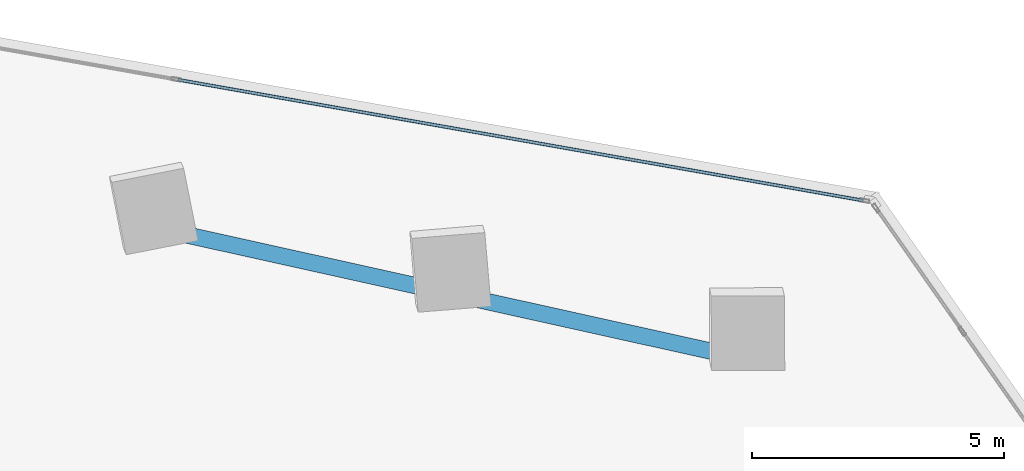
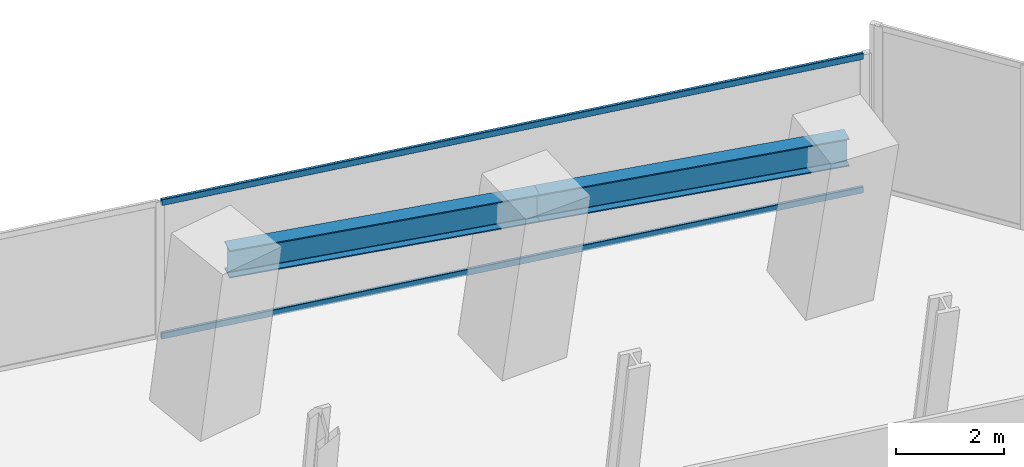
# One storey, part 13 of 24: 2 beams, 2 members, 1 element without a shape of its own.
"""IFC4 building model written with IfcOpenShell, lengths in metres."""

import ifcopenshell
import ifcopenshell.guid

model = None  # the IFC model being written
_history = None  # IfcOwnerHistory: only IFC2X3 demands one
_inside = {}  # id of a spatial element -> (the spatial element, [elements in it])
_under = {}  # id of a project, library or spatial element -> (it, [spatial elements below it])
_declared = {}  # id of a project -> (the project, [libraries it declares])
_typed = {}  # id of a type object -> (the type object, [elements of that type])
_made_of = {}  # id of a material, layer set ... -> (it, [elements and type objects made of it])


def new_model(schema):
    """Start an empty IFC model of exactly this schema.

    Asked for "IFC4X3", IfcOpenShell would pick the latest addendum, in which some entities
    have other attributes; the version numbers below select the first issue.
    IFC2X3 requires an IfcOwnerHistory on every rooted entity: one is made here for all.
    """
    global model, _history
    if schema == "IFC4X3":
        model = ifcopenshell.file(schema_version=(4, 3, 0, 0))
    else:
        model = ifcopenshell.file(schema=schema)
    _inside.clear()
    _under.clear()
    _declared.clear()
    _typed.clear()
    _made_of.clear()
    _history = None
    if model.schema == "IFC2X3":
        org = make("IfcOrganization", Name="unknown")
        user = make(
            "IfcPersonAndOrganization",
            ThePerson=make("IfcPerson", FamilyName="unknown"),
            TheOrganization=org,
        )
        app = make(
            "IfcApplication",
            ApplicationDeveloper=org,
            Version="unknown",
            ApplicationFullName="unknown",
            ApplicationIdentifier="unknown",
        )
        _history = make(
            "IfcOwnerHistory",
            OwningUser=user,
            OwningApplication=app,
            ChangeAction="ADDED",
            CreationDate=0,
        )
    return model


def make(cls, **values):
    """One entity of the class cls with the attributes given. An attribute that is None is left unset."""
    return model.create_entity(
        cls, **{name: value for name, value in values.items() if value is not None}
    )


def rooted(cls, **values):
    """An entity with a GlobalId (a new one), such as an element, a storey or a relation."""
    return make(cls, GlobalId=ifcopenshell.guid.new(), OwnerHistory=_history, **values)


def si_unit(unit_type, name, prefix=None):
    """IfcSIUnit, for example si_unit("LENGTHUNIT", "METRE", prefix="MILLI")."""
    return make("IfcSIUnit", UnitType=unit_type, Prefix=prefix, Name=name)


def assignment(units):
    """IfcUnitAssignment: the units of a project."""
    return None if units is None else make("IfcUnitAssignment", Units=units)


def point(xyz):
    """IfcCartesianPoint."""
    return None if xyz is None else make("IfcCartesianPoint", Coordinates=xyz)


def direction(xyz):
    """IfcDirection."""
    return None if xyz is None else make("IfcDirection", DirectionRatios=xyz)


def frame(location, z_axis=None, x_axis=None):
    """IfcAxis2Placement3D, a coordinate frame: its origin and axes. An axis left out is left unset."""
    return make(
        "IfcAxis2Placement3D",
        Location=point(location),
        Axis=direction(z_axis),
        RefDirection=direction(x_axis),
    )


def frame_2d(location, x_axis=None):
    """IfcAxis2Placement2D, a coordinate frame in the plane: its origin and x axis."""
    return make(
        "IfcAxis2Placement2D", Location=point(location), RefDirection=direction(x_axis)
    )


def origin():
    """The frame at (0, 0, 0) with its axes left unset."""
    return frame((0.0, 0.0, 0.0))


def origin_2d():
    """The frame at (0, 0) in the plane with its x axis left unset."""
    return frame_2d((0.0, 0.0))


def place(relative_to, where):
    """IfcLocalPlacement: puts the frame where relative to a parent placement (None: the world)."""
    return make(
        "IfcLocalPlacement", PlacementRelTo=relative_to, RelativePlacement=where
    )


def context(
    kind, dimensions, precision=None, world=None, true_north=None, identifier=None
):
    """IfcGeometricRepresentationContext, for example the 3D "Model" context."""
    return make(
        "IfcGeometricRepresentationContext",
        ContextIdentifier=identifier,
        ContextType=kind,
        CoordinateSpaceDimension=dimensions,
        Precision=precision,
        WorldCoordinateSystem=world,
        TrueNorth=true_north,
    )


def subcontext(parent, identifier, kind, view, scale=None):
    """IfcGeometricRepresentationSubContext, for example "Body" below "Model"."""
    return make(
        "IfcGeometricRepresentationSubContext",
        ContextIdentifier=identifier,
        ContextType=kind,
        ParentContext=parent,
        TargetScale=scale,
        TargetView=view,
    )


def project(units=None, contexts=None):
    """IfcProject with its units and contexts."""
    return rooted(
        "IfcProject",
        Name="project",
        RepresentationContexts=contexts,
        UnitsInContext=assignment(units),
    )


def spatial(cls, under=None, at=None, **own):
    """A site, building, storey or space (cls), placed at a placement, below another one or the project."""
    s = rooted(cls, ObjectPlacement=at, **own)
    if under is not None:
        _under.setdefault(under.id(), (under, []))[1].append(s)
    return s


def profile(cls, at=None, kind="AREA", **sizes):
    """A parametric profile (cls). Its sizes go by their IFC names, for example OverallWidth=200.0."""
    return make(cls, ProfileType=kind, Position=at, **sizes)


def hollow_rectangle(**sizes):
    """IfcRectangleHollowProfileDef."""
    return profile("IfcRectangleHollowProfileDef", **sizes)


def i_section(**sizes):
    """IfcIShapeProfileDef."""
    return profile("IfcIShapeProfileDef", **sizes)


def extrude(swept, where, along, depth):
    """IfcExtrudedAreaSolid: the profile swept, set in the frame where, extruded along a direction by depth."""
    return make(
        "IfcExtrudedAreaSolid",
        SweptArea=swept,
        Position=where,
        ExtrudedDirection=direction(along),
        Depth=depth,
    )


def shape(context_of_items, identifier, shape_type, items):
    """IfcShapeRepresentation: the items that make up one representation, for example the "Body"."""
    return make(
        "IfcShapeRepresentation",
        ContextOfItems=context_of_items,
        RepresentationIdentifier=identifier,
        RepresentationType=shape_type,
        Items=items,
    )


def source(mapping_origin, context_of_items, identifier, shape_type, items):
    """IfcRepresentationMap: a shape defined once, which mapped items show again and again."""
    return make(
        "IfcRepresentationMap",
        MappingOrigin=mapping_origin,
        MappedRepresentation=shape(context_of_items, identifier, shape_type, items),
    )


def transform(
    local_origin,
    x_axis=None,
    y_axis=None,
    z_axis=None,
    scale=None,
    scale2=None,
    scale3=None,
    uniform=True,
):
    """IfcCartesianTransformationOperator3D, or its non-uniform kind. x_axis, y_axis, z_axis: its Axis1, 2, 3."""
    if uniform:
        return make(
            "IfcCartesianTransformationOperator3D",
            Axis1=direction(x_axis),
            Axis2=direction(y_axis),
            LocalOrigin=point(local_origin),
            Scale=scale,
            Axis3=direction(z_axis),
        )
    return make(
        "IfcCartesianTransformationOperator3DnonUniform",
        Axis1=direction(x_axis),
        Axis2=direction(y_axis),
        LocalOrigin=point(local_origin),
        Scale=scale,
        Axis3=direction(z_axis),
        Scale2=scale2,
        Scale3=scale3,
    )


def mapped(mapping_source, mapping_target):
    """IfcMappedItem: shows the shape of a source again, moved by a transform."""
    return make(
        "IfcMappedItem", MappingSource=mapping_source, MappingTarget=mapping_target
    )


def material(Name=None, Category=None):
    """IfcMaterial."""
    return make("IfcMaterial", Name=Name, Category=Category)


def material_profile(
    of_material, cross_section, Name=None, Category=None, Priority=None
):
    """IfcMaterialProfile: a cross section and its material."""
    return make(
        "IfcMaterialProfile",
        Name=Name,
        Material=of_material,
        Profile=cross_section,
        Priority=Priority,
        Category=Category,
    )


def profile_set(profiles, Name=None, composite=None):
    """IfcMaterialProfileSet."""
    return make(
        "IfcMaterialProfileSet",
        Name=Name,
        MaterialProfiles=profiles,
        CompositeProfile=composite,
    )


def made_of(thing, what):
    """Note that an element or type object is made of a material, layer set ...; save() writes the relation."""
    if what is not None:
        _made_of.setdefault(what.id(), (what, []))[1].append(thing)
    return thing


def type_object(cls, material=None, **own):
    """A type object (cls), such as IfcWallType, which elements share."""
    return made_of(rooted(cls, **own), material)


def element(
    cls,
    number,
    at=None,
    inside=None,
    cuts=None,
    type_object=None,
    material=None,
    context=None,
    identifier="Body",
    shape_type=None,
    held_by="IfcProductDefinitionShape",
    body=None,
    shapes=None,
    **own,
):
    """One element of the class cls, such as IfcWall. Its Tag is "e" and its number.

    at: its placement. inside: the storey or other place that contains it. cuts: it is an
    opening in that element (IfcRelVoidsElement). A single representation is given by context,
    identifier, shape_type and body (its items); several are given by shapes. held_by: the class
    of the entity that holds the representations. save() writes the other relations.
    """
    e = rooted(cls, Tag="e%d" % number, ObjectPlacement=at, **own)
    if body is not None:
        shapes = [shape(context, identifier, shape_type, body)]
    if shapes is not None:
        e.Representation = make(held_by, Representations=shapes)
    if inside is not None:
        _inside.setdefault(inside.id(), (inside, []))[1].append(e)
    if cuts is not None:
        rooted(
            "IfcRelVoidsElement", RelatingBuildingElement=cuts, RelatedOpeningElement=e
        )
    if type_object is not None:
        _typed.setdefault(type_object.id(), (type_object, []))[1].append(e)
    return made_of(e, material)


def aggregate(whole, parts):
    """IfcRelAggregates: a whole, such as a stair, and the parts it consists of."""
    return rooted("IfcRelAggregates", RelatingObject=whole, RelatedObjects=parts)


def save(model, path):
    """Write the relations noted so far, then the file.

    IfcRelAggregates (storeys below a building ...), IfcRelContainedInSpatialStructure (elements
    in a storey), IfcRelDefinesByType, IfcRelAssociatesMaterial and IfcRelDeclares: one each for
    every whole, place, type object, material and project.
    """
    for whole, parts in _under.values():
        aggregate(whole, parts)
    for where, things in _inside.values():
        rooted(
            "IfcRelContainedInSpatialStructure",
            RelatedElements=things,
            RelatingStructure=where,
        )
    for kind, things in _typed.values():
        rooted("IfcRelDefinesByType", RelatedObjects=things, RelatingType=kind)
    for what, things in _made_of.values():
        rooted("IfcRelAssociatesMaterial", RelatedObjects=things, RelatingMaterial=what)
    for by, libraries in _declared.values():
        rooted("IfcRelDeclares", RelatingContext=by, RelatedDefinitions=libraries)
    model.write(path)


model = new_model("IFC4")

# Units and contexts
model_context = context("Model", 3, precision=1e-05, world=origin(), true_north=direction((0.0, 1.0)))
body_context = subcontext(model_context, "Body", "Model", "MODEL_VIEW")
ifc_project = project(units=[si_unit("LENGTHUNIT", "METRE"), si_unit("AREAUNIT", "SQUARE_METRE"), si_unit("VOLUMEUNIT", "CUBIC_METRE"), si_unit("PLANEANGLEUNIT", "RADIAN"), si_unit("MASSUNIT", "GRAM", prefix="KILO")], contexts=[model_context])

# Site, building, storey
site_placement = place(None, origin())
site = spatial("IfcSite", under=ifc_project, at=site_placement, CompositionType="ELEMENT")
building_placement = place(site_placement, origin())
building = spatial("IfcBuilding", under=site, at=building_placement, Name="Torre Montelarca", CompositionType="ELEMENT")
storey_placement = place(building_placement, frame((0.0, 0.0, 83.199951171875)))
storey = spatial("IfcBuildingStorey", under=building, at=storey_placement, Name="L18", CompositionType="ELEMENT", Elevation=83.199951171875)

# Beams
ifc_material_1 = material(Name="Steel ASTM A992 Grade 50", Category="steel")
ifc_material_profile_1 = material_profile(ifc_material_1, i_section(OverallWidth=0.326904296875, OverallDepth=0.6220703125, WebThickness=0.015380859375, FlangeThickness=0.0244140625, FilletRadius=0.014892578125, at=origin_2d()), Name="W610X195", Category="steel")
ifc_profile_set_1 = profile_set([ifc_material_profile_1], Name="Steel ASTM A992 Grade 50")
beam_type = type_object("IfcBeamType", Name="BM-G-W610H", PredefinedType="BEAM", material=ifc_profile_set_1)
shared_shape_1 = source(origin(), body_context, "Body", "SweptSolid", [
    extrude(i_section(OverallWidth=0.326904296875, OverallDepth=0.6220703125, WebThickness=0.015380859375, FlangeThickness=0.0244140625, FilletRadius=0.014892578125, at=origin_2d()), origin(), (0.0, 0.0, 1.0), 6.0),
])
for number, where, z_axis, x_axis, name in (
    (1, (44.544189453125, 41.231201171875, 3.649169921875), (0.976298945278, -0.216426360337, 0.0), (0.216426360337, 0.976298945278, 0.0), "L18 Grid Girder X 42.0-48.0 at Y=46.0"),
    (2, (50.402099609375, 39.9326171875, 3.649169921875), (0.976288440383, -0.21647374246, 0.0), (0.21647374246, 0.976288440383, 0.0), "L18 Grid Girder X 48.0-54.0 at Y=46.0"),
):
    element("IfcBeam", number, at=place(storey_placement, frame(where, z_axis=z_axis, x_axis=x_axis)), inside=storey, type_object=beam_type, Name=name, PredefinedType="BEAM", context=body_context, shape_type="MappedRepresentation", body=[
        mapped(shared_shape_1, transform((0.0, 0.0, 0.0), scale=1.0)),
    ])

# Curtain wall, members
ifc_material_2 = material(Name="Insulated low-E laminated glass", Category="glass")
curtain_wall_type = type_object("IfcCurtainWallType", Name="CW-SYS-Z1", PredefinedType="USERDEFINED", material=ifc_material_2)
curtain_wall_placement = place(storey_placement, origin())
curtain_wall = element("IfcCurtainWall", 3, at=curtain_wall_placement, inside=storey, type_object=curtain_wall_type, Name="L18 Curtain Wall Run CW-T3-L18-E08-B1", ObjectType="UNITISED GLAZING", PredefinedType="USERDEFINED")
ifc_material_3 = material(Name="Anodised aluminium AA 6063-T6", Category="aluminium")
ifc_material_profile_2 = material_profile(ifc_material_3, hollow_rectangle(XDim=0.06494140625, YDim=0.139892578125, WallThickness=0.00390625, InnerFilletRadius=0.00390625, OuterFilletRadius=0.008056640625, at=origin_2d()), Name="ALU65X140X4", Category="aluminium")
ifc_profile_set_2 = profile_set([ifc_material_profile_2], Name="Anodised aluminium AA 6063-T6")
member_type = type_object("IfcMemberType", Name="CWT-ALU140", PredefinedType="USERDEFINED", material=ifc_profile_set_2)
shared_shape_2 = source(origin(), body_context, "Body", "SweptSolid", [
    extrude(hollow_rectangle(XDim=0.06494140625, YDim=0.139892578125, WallThickness=0.00390625, InnerFilletRadius=0.00390625, OuterFilletRadius=0.008056640625, at=origin_2d()), origin(), (0.0, 0.0, 1.0), 13.7900390625),
])
member_1_placement = place(storey_placement, frame((58.43310546875, 41.8056640625, 0.032470703125), z_axis=(-0.984808856936, 0.173641916888, 0.0), x_axis=(-0.173641916888, -0.984808856936, 0.0)))
member_1 = element("IfcMember", 4, at=member_1_placement, type_object=member_type, Name="CW transom 1.1", ObjectType="TRANSOM", PredefinedType="USERDEFINED", context=body_context, shape_type="MappedRepresentation", body=[
    mapped(shared_shape_2, transform((0.0, 0.0, 0.0), scale=1.0)),
])
member_2_placement = place(storey_placement, frame((58.43310546875, 41.8056640625, 3.04248046875), z_axis=(-0.984808856936, 0.173641916888, 0.0), x_axis=(-0.173641916888, -0.984808856936, 0.0)))
member_2 = element("IfcMember", 5, at=member_2_placement, type_object=member_type, Name="CW transom 1.2", ObjectType="TRANSOM", PredefinedType="USERDEFINED", context=body_context, shape_type="MappedRepresentation", body=[
    mapped(shared_shape_2, transform((0.0, 0.0, 0.0), scale=1.0)),
])
aggregate(curtain_wall, [member_1, member_2])

save(model, "model.ifc")
